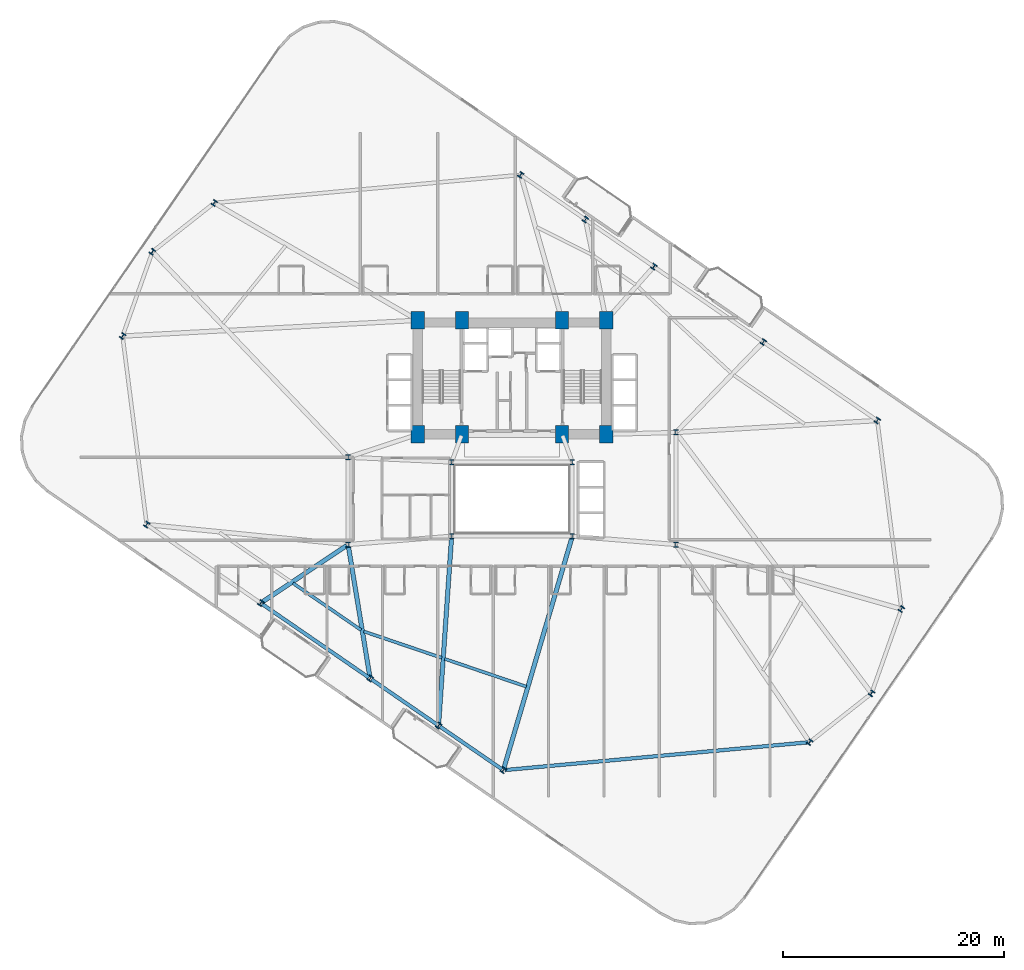
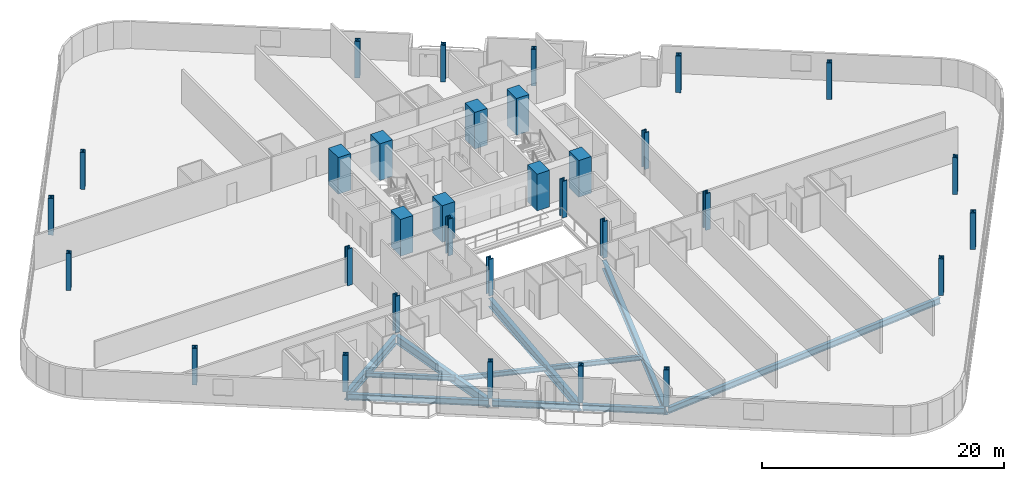
# One storey, part 1 of 25: 32 columns, 11 beams.
"""IFC4 building model written with IfcOpenShell, lengths in metres."""

from ifc_helpers import new_model, si_unit, direction, frame, origin, origin_2d, place, context, subcontext, project, spatial, rectangle, i_section, extrude, material, material_profile, profile_set, type_object, element, save


model = new_model("IFC4")

# Units and contexts
model_context = context("Model", 3, precision=1e-05, world=origin(), true_north=direction((0.0, 1.0)))
body_context = subcontext(model_context, "Body", "Model", "MODEL_VIEW")
ifc_project = project(units=[si_unit("LENGTHUNIT", "METRE"), si_unit("AREAUNIT", "SQUARE_METRE"), si_unit("VOLUMEUNIT", "CUBIC_METRE"), si_unit("PLANEANGLEUNIT", "RADIAN"), si_unit("MASSUNIT", "GRAM", prefix="KILO")], contexts=[model_context])

# Site, building, storey
site_placement = place(None, origin())
site = spatial("IfcSite", under=ifc_project, at=site_placement, CompositionType="ELEMENT")
building_placement = place(site_placement, origin())
building = spatial("IfcBuilding", under=site, at=building_placement, Name="Varnelok Gate Tower", CompositionType="ELEMENT")
storey_placement = place(building_placement, frame((0.0, 0.0, 34.39990234375)))
storey = spatial("IfcBuildingStorey", under=building, at=storey_placement, Name="L07", CompositionType="ELEMENT", Elevation=34.39990234375)

# Columns
ifc_material_1 = material(Name="Concrete C70/85", Category="concrete")
ifc_material_profile_1 = material_profile(ifc_material_1, rectangle(XDim=1.199951171875, YDim=1.60009765625, at=origin_2d()), Name="RC1600X1200")
ifc_profile_set_1 = profile_set([ifc_material_profile_1], Name="Concrete C70/85")
column_type_1 = type_object("IfcColumnType", Name="COL-RC1600X1200", PredefinedType="COLUMN", material=ifc_profile_set_1)
for number, where, z_axis, x_axis, name in (
    (1, (30.699951171875, 28.75, 0.0), (0.0, 0.0, 1.0), (1.0, 0.0, 0.0), "L07 Core Spine Column SC1"),
    (2, (34.679931640625, 28.75, 0.0), (0.0, 0.0, 1.0), (1.0, 0.0, 0.0), "L07 Core Spine Column SC2"),
    (3, (43.719970703125, 28.75, 0.0), (0.0, 0.0, 1.0), (1.0, 0.0, 0.0), "L07 Core Spine Column SC3"),
    (4, (47.699951171875, 28.75, 0.0), (0.0, 0.0, 1.0), (1.0, 0.0, 0.0), "L07 Core Spine Column SC4"),
    (5, (30.699951171875, 39.050048828125, 0.0), (0.0, 0.0, 1.0), (1.0, 0.0, 0.0), "L07 Core Spine Column SC5"),
    (6, (34.679931640625, 39.050048828125, 0.0), (0.0, 0.0, 1.0), (1.0, 0.0, 0.0), "L07 Core Spine Column SC6"),
    (7, (43.719970703125, 39.050048828125, 0.0), (0.0, 0.0, 1.0), (1.0, 0.0, 0.0), "L07 Core Spine Column SC7"),
    (8, (47.699951171875, 39.050048828125, 0.0), (0.0, 0.0, 1.0), (1.0, 0.0, 0.0), "L07 Core Spine Column SC8"),
):
    element("IfcColumn", number, at=place(storey_placement, frame(where, z_axis=z_axis, x_axis=x_axis)), inside=storey, type_object=column_type_1, Name=name, PredefinedType="COLUMN", context=body_context, shape_type="SweptSolid", body=[
        extrude(rectangle(XDim=1.199951171875, YDim=1.60009765625, at=origin_2d()), origin(), (0.0, 0.0, 1.0), 3.7001953125),
    ])
ifc_material_2 = material(Name="Structural Steel ASTM A992 Grade 50", Category="steel")
ifc_material_profile_2 = material_profile(ifc_material_2, i_section(OverallWidth=0.431884765625, OverallDepth=0.498046875, WebThickness=0.0556640625, FlangeThickness=0.0888671875, FilletRadius=0.02490234375, at=origin_2d()), Name="W14X500")
ifc_profile_set_2 = profile_set([ifc_material_profile_2], Name="Structural Steel ASTM A992 Grade 50")
column_type_2 = type_object("IfcColumnType", Name="COL-W14X500", PredefinedType="COLUMN", material=ifc_profile_set_2)
for number, where, z_axis, x_axis, name in (
    (9, (33.75, 19.550048828125, 0.0), (0.0, 0.0, 1.0), (1.0, 0.0, 0.0), "L07 Atrium Spine Column AC1"),
    (10, (44.64990234375, 19.550048828125, 0.0), (0.0, 0.0, 1.0), (1.0, 0.0, 0.0), "L07 Atrium Spine Column AC2"),
    (11, (33.75, 26.25, 0.0), (0.0, 0.0, 1.0), (1.0, 0.0, 0.0), "L07 Atrium Spine Column AC3"),
    (12, (44.64990234375, 26.25, 0.0), (0.0, 0.0, 1.0), (1.0, 0.0, 0.0), "L07 Atrium Spine Column AC4"),
    (13, (24.39990234375, 18.800048828125, 0.0), (0.0, 0.0, 1.0), (1.0, 0.0, 0.0), "L07 Wing Spine Column WS1"),
    (14, (24.39990234375, 26.679931640625, 0.0), (0.0, 0.0, 1.0), (1.0, 0.0, 0.0), "L07 Wing Spine Column WS2"),
    (15, (54.0, 18.800048828125, 0.0), (0.0, 0.0, 1.0), (1.0, 0.0, 0.0), "L07 Wing Spine Column ES1"),
    (16, (54.0, 28.919921875, 0.0), (0.0, 0.0, 1.0), (1.0, 0.0, 0.0), "L07 Wing Spine Column ES2"),
    (17, (6.214599609375, 20.602783203125, 0.0), (0.0, 0.0, 1.0), (0.823532597628, -0.567268949127, 0.0), "L07 B1 Perimeter Column PC01"),
    (18, (16.5087890625, 13.511962890625, 0.0), (0.0, 0.0, 1.0), (0.823532597628, -0.567268949127, 0.0), "L07 B1 Perimeter Column PC02"),
    (19, (26.39111328125, 6.70458984375, 0.0), (0.0, 0.0, 1.0), (0.823532597628, -0.567268949127, 0.0), "L07 B1 Perimeter Column PC03"),
    (20, (32.567626953125, 2.4501953125, 0.0), (0.0, 0.0, 1.0), (0.823532597628, -0.567268949127, 0.0), "L07 B1 Perimeter Column PC04"),
    (21, (38.41455078125, -1.577392578125, 0.0), (0.0, 0.0, 1.0), (0.823532597628, -0.567268949127, 0.0), "L07 B1 Perimeter Column PC05"),
    (22, (66.084716796875, 0.95263671875, 0.0), (0.0, 0.0, 1.0), (0.823532597628, -0.567268949127, 0.0), "L07 B1 Perimeter Column PC06"),
    (23, (71.669921875, 5.362548828125, 0.0), (0.0, 0.0, 1.0), (0.823532597628, -0.567268949127, 0.0), "L07 B1 Perimeter Column PC07"),
    (24, (74.366943359375, 12.976318359375, 0.0), (0.0, 0.0, 1.0), (0.823532597628, -0.567268949127, 0.0), "L07 B1 Perimeter Column PC08"),
    (25, (72.185546875, 29.997314453125, 0.0), (0.0, 0.0, 1.0), (0.823532597628, -0.567268949127, 0.0), "L07 B1 Perimeter Column PC09"),
    (26, (61.891357421875, 37.088134765625, 0.0), (0.0, 0.0, 1.0), (0.823532597628, -0.567268949127, 0.0), "L07 B1 Perimeter Column PC10"),
    (27, (52.0087890625, 43.8955078125, 0.0), (0.0, 0.0, 1.0), (0.823532597628, -0.567268949127, 0.0), "L07 B1 Perimeter Column PC11"),
    (28, (45.83251953125, 48.14990234375, 0.0), (0.0, 0.0, 1.0), (0.823532597628, -0.567268949127, 0.0), "L07 B1 Perimeter Column PC12"),
    (29, (39.9853515625, 52.177490234375, 0.0), (0.0, 0.0, 1.0), (0.823532597628, -0.567268949127, 0.0), "L07 B1 Perimeter Column PC13"),
    (30, (12.315185546875, 49.6474609375, 0.0), (0.0, 0.0, 1.0), (0.823532597628, -0.567268949127, 0.0), "L07 B1 Perimeter Column PC14"),
    (31, (6.72998046875, 45.237548828125, 0.0), (0.0, 0.0, 1.0), (0.823532597628, -0.567268949127, 0.0), "L07 B1 Perimeter Column PC15"),
    (32, (4.033203125, 37.623779296875, 0.0), (0.0, 0.0, 1.0), (0.823532597628, -0.567268949127, 0.0), "L07 B1 Perimeter Column PC16"),
):
    element("IfcColumn", number, at=place(storey_placement, frame(where, z_axis=z_axis, x_axis=x_axis)), inside=storey, type_object=column_type_2, Name=name, PredefinedType="COLUMN", context=body_context, shape_type="SweptSolid", body=[
        extrude(i_section(OverallWidth=0.431884765625, OverallDepth=0.498046875, WebThickness=0.0556640625, FlangeThickness=0.0888671875, FilletRadius=0.02490234375, at=origin_2d()), origin(), (0.0, 0.0, 1.0), 3.7001953125),
    ])

# Beams
ifc_material_profile_3 = material_profile(ifc_material_2, i_section(OverallWidth=0.280029296875, OverallDepth=0.462890625, WebThickness=0.0107421875, FlangeThickness=0.017333984375, FilletRadius=0.014892578125, at=origin_2d()), Name="W18X76")
ifc_profile_set_3 = profile_set([ifc_material_profile_3], Name="Structural Steel ASTM A992 Grade 50")
beam_type_1 = type_object("IfcBeamType", Name="BM-JST-W18X76", PredefinedType="JOIST", material=ifc_profile_set_3)
beam_1_placement = place(storey_placement, frame((19.42529296875, 15.309814453125, -0.4814453125), z_axis=(0.823536478582, -0.567263314911, 0.0), x_axis=(0.567263314911, 0.823536478582, 0.0)))
element("IfcBeam", 33, at=beam_1_placement, inside=storey, type_object=beam_type_1, Name="L07 Sector Floor Joist 2", PredefinedType="JOIST", context=body_context, shape_type="SweptSolid", body=[
    extrude(i_section(OverallWidth=0.280029296875, OverallDepth=0.462890625, WebThickness=0.0107421875, FlangeThickness=0.017333984375, FilletRadius=0.014892578125, at=origin_2d()), origin(), (0.0, 0.0, 1.0), 7.460205078125),
])
beam_2_placement = place(storey_placement, frame((25.81689453125, 10.95361328125, -0.4814453125), z_axis=(0.946964599395, -0.321337902358, 0.0), x_axis=(0.321337902358, 0.946964599395, 0.0)))
element("IfcBeam", 34, at=beam_2_placement, inside=storey, type_object=beam_type_1, Name="L07 Sector Floor Joist 3", PredefinedType="JOIST", context=body_context, shape_type="SweptSolid", body=[
    extrude(i_section(OverallWidth=0.280029296875, OverallDepth=0.462890625, WebThickness=0.0107421875, FlangeThickness=0.017333984375, FilletRadius=0.014892578125, at=origin_2d()), origin(), (0.0, 0.0, 1.0), 7.431884765625),
])
beam_3_placement = place(storey_placement, frame((33.119873046875, 8.4755859375, -0.4814453125), z_axis=(0.946770261525, -0.321910036953, 0.0), x_axis=(0.321910036953, 0.946770261525, 0.0)))
element("IfcBeam", 35, at=beam_3_placement, inside=storey, type_object=beam_type_1, Name="L07 Sector Floor Joist 4", PredefinedType="JOIST", context=body_context, shape_type="SweptSolid", body=[
    extrude(i_section(OverallWidth=0.280029296875, OverallDepth=0.462890625, WebThickness=0.0107421875, FlangeThickness=0.017333984375, FilletRadius=0.014892578125, at=origin_2d()), origin(), (0.0, 0.0, 1.0), 7.79052734375),
])
ifc_material_profile_4 = material_profile(ifc_material_2, i_section(OverallWidth=0.39892578125, OverallDepth=0.85498046875, WebThickness=0.018310546875, FlangeThickness=0.029296875, FilletRadius=0.02392578125, at=origin_2d()), Name="W33X201")
ifc_profile_set_4 = profile_set([ifc_material_profile_4], Name="Structural Steel ASTM A992 Grade 50")
beam_type_2 = type_object("IfcBeamType", Name="BM-PRI-W33X201", PredefinedType="BEAM", material=ifc_profile_set_4)
beam_4_placement = place(storey_placement, frame((24.275390625, 18.716552734375, -0.677490234375), z_axis=(-0.830725059098, -0.556682922485, 0.0), x_axis=(0.556682922485, -0.830725059098, 0.0)))
element("IfcBeam", 36, at=beam_4_placement, inside=storey, type_object=beam_type_2, Name="L07 Radial Floor Girder 2", PredefinedType="BEAM", context=body_context, shape_type="SweptSolid", body=[
    extrude(i_section(OverallWidth=0.39892578125, OverallDepth=0.85498046875, WebThickness=0.018310546875, FlangeThickness=0.029296875, FilletRadius=0.02392578125, at=origin_2d()), origin(), (0.0, 0.0, 1.0), 9.19921875),
])
beam_5_placement = place(storey_placement, frame((24.42431640625, 18.652099609375, -0.677490234375), z_axis=(0.162428802214, -0.986720266444, 0.0), x_axis=(0.986720266444, 0.162428802214, 0.0)))
element("IfcBeam", 37, at=beam_5_placement, inside=storey, type_object=beam_type_2, Name="L07 Radial Floor Girder 3", PredefinedType="BEAM", context=body_context, shape_type="SweptSolid", body=[
    extrude(i_section(OverallWidth=0.39892578125, OverallDepth=0.85498046875, WebThickness=0.018310546875, FlangeThickness=0.029296875, FilletRadius=0.02392578125, at=origin_2d()), origin(), (0.0, 0.0, 1.0), 11.958251953125),
])
beam_6_placement = place(storey_placement, frame((33.73974609375, 19.400390625, -0.677490234375), z_axis=(-0.068990652765, -0.997617306301, 0.0), x_axis=(0.997617306301, -0.068990652765, 0.0)))
element("IfcBeam", 38, at=beam_6_placement, inside=storey, type_object=beam_type_2, Name="L07 Radial Floor Girder 4", PredefinedType="BEAM", context=body_context, shape_type="SweptSolid", body=[
    extrude(i_section(OverallWidth=0.39892578125, OverallDepth=0.85498046875, WebThickness=0.018310546875, FlangeThickness=0.029296875, FilletRadius=0.02392578125, at=origin_2d()), origin(), (0.0, 0.0, 1.0), 16.8408203125),
])
beam_7_placement = place(storey_placement, frame((44.607421875, 19.406005859375, -0.677490234375), z_axis=(-0.283059829362, -0.959102253673, 0.0), x_axis=(0.959102253673, -0.283059829362, 0.0)))
element("IfcBeam", 39, at=beam_7_placement, inside=storey, type_object=beam_type_2, Name="L07 Radial Floor Girder 5", PredefinedType="BEAM", context=body_context, shape_type="SweptSolid", body=[
    extrude(i_section(OverallWidth=0.39892578125, OverallDepth=0.85498046875, WebThickness=0.018310546875, FlangeThickness=0.029296875, FilletRadius=0.02392578125, at=origin_2d()), origin(), (0.0, 0.0, 1.0), 21.728271484375),
])
ifc_material_profile_5 = material_profile(ifc_material_2, i_section(OverallWidth=0.323974609375, OverallDepth=0.611083984375, WebThickness=0.0126953125, FlangeThickness=0.01904296875, FilletRadius=0.01806640625, at=origin_2d()), Name="W24X104")
ifc_profile_set_5 = profile_set([ifc_material_profile_5], Name="Structural Steel ASTM A992 Grade 50")
beam_type_3 = type_object("IfcBeamType", Name="BM-SPN-W24X104", PredefinedType="SPANDREL", material=ifc_profile_set_5)
beam_8_placement = place(storey_placement, frame((16.632080078125, 13.4267578125, -0.555419921875), z_axis=(0.823540527698, -0.567257436478, 0.0), x_axis=(0.567257436478, 0.823540527698, 0.0)))
element("IfcBeam", 40, at=beam_8_placement, inside=storey, type_object=beam_type_3, Name="L07 Perimeter Spandrel Beam 2", PredefinedType="SPANDREL", context=body_context, shape_type="SweptSolid", body=[
    extrude(i_section(OverallWidth=0.323974609375, OverallDepth=0.611083984375, WebThickness=0.0126953125, FlangeThickness=0.01904296875, FilletRadius=0.01806640625, at=origin_2d()), origin(), (0.0, 0.0, 1.0), 11.7001953125),
])
beam_9_placement = place(storey_placement, frame((26.5146484375, 6.619384765625, -0.555419921875), z_axis=(0.823539986654, -0.56725822196, 0.0), x_axis=(0.56725822196, 0.823539986654, 0.0)))
element("IfcBeam", 41, at=beam_9_placement, inside=storey, type_object=beam_type_3, Name="L07 Perimeter Spandrel Beam 3", PredefinedType="SPANDREL", context=body_context, shape_type="SweptSolid", body=[
    extrude(i_section(OverallWidth=0.323974609375, OverallDepth=0.611083984375, WebThickness=0.0126953125, FlangeThickness=0.01904296875, FilletRadius=0.01806640625, at=origin_2d()), origin(), (0.0, 0.0, 1.0), 7.199951171875),
])
beam_10_placement = place(storey_placement, frame((32.691162109375, 2.364990234375, -0.555419921875), z_axis=(0.823525119645, -0.567279805135, 0.0), x_axis=(0.567279805135, 0.823525119645, 0.0)))
element("IfcBeam", 42, at=beam_10_placement, inside=storey, type_object=beam_type_3, Name="L07 Perimeter Spandrel Beam 4", PredefinedType="SPANDREL", context=body_context, shape_type="SweptSolid", body=[
    extrude(i_section(OverallWidth=0.323974609375, OverallDepth=0.611083984375, WebThickness=0.0126953125, FlangeThickness=0.01904296875, FilletRadius=0.01806640625, at=origin_2d()), origin(), (0.0, 0.0, 1.0), 6.7998046875),
])
beam_11_placement = place(storey_placement, frame((38.56396484375, -1.563720703125, -0.555419921875), z_axis=(0.995845891963, 0.091054705864, 0.0), x_axis=(-0.091054705864, 0.995845891963, 0.0)))
element("IfcBeam", 43, at=beam_11_placement, inside=storey, type_object=beam_type_3, Name="L07 Perimeter Spandrel Beam 5", PredefinedType="SPANDREL", context=body_context, shape_type="SweptSolid", body=[
    extrude(i_section(OverallWidth=0.323974609375, OverallDepth=0.611083984375, WebThickness=0.0126953125, FlangeThickness=0.01904296875, FilletRadius=0.01806640625, at=origin_2d()), origin(), (0.0, 0.0, 1.0), 27.485595703125),
])

save(model, "model.ifc")
